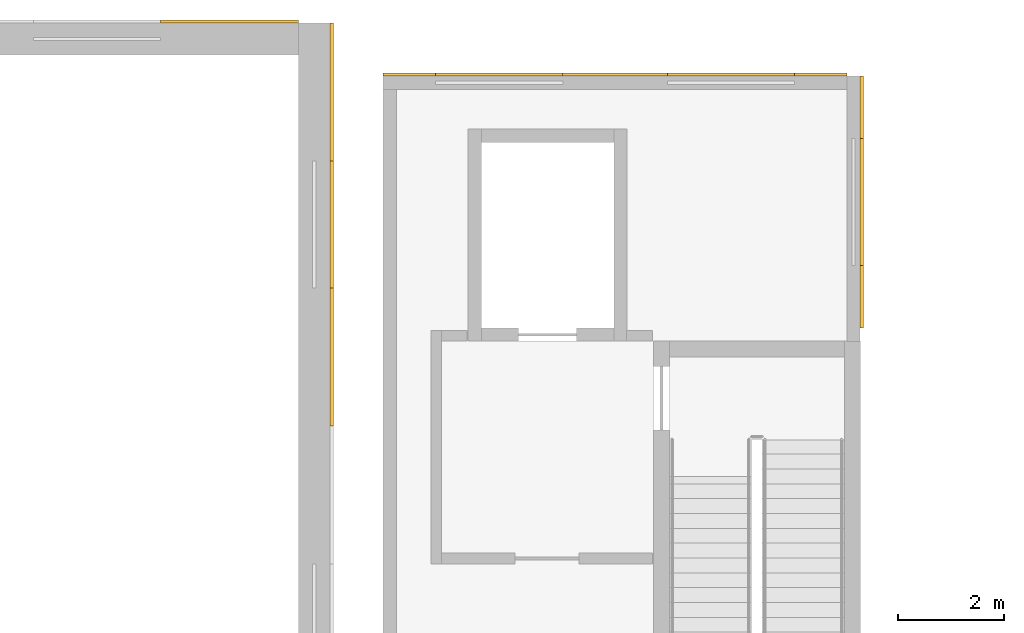
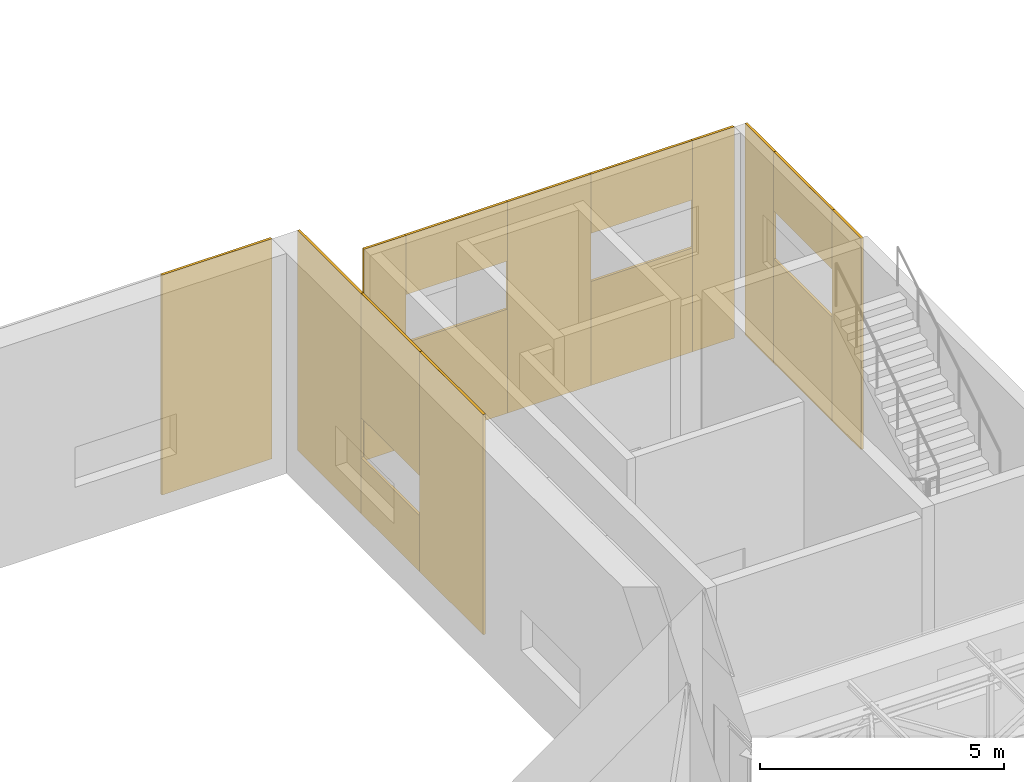
# One storey, part 124 of 132: 16 coverings.
"""IFC4 building model written with IfcOpenShell, lengths in metres."""

import ifcopenshell
import ifcopenshell.guid

model = None  # the IFC model being written
_history = None  # IfcOwnerHistory: only IFC2X3 demands one
_inside = {}  # id of a spatial element -> (the spatial element, [elements in it])
_under = {}  # id of a project, library or spatial element -> (it, [spatial elements below it])
_declared = {}  # id of a project -> (the project, [libraries it declares])
_typed = {}  # id of a type object -> (the type object, [elements of that type])
_made_of = {}  # id of a material, layer set ... -> (it, [elements and type objects made of it])


def new_model(schema):
    """Start an empty IFC model of exactly this schema.

    Asked for "IFC4X3", IfcOpenShell would pick the latest addendum, in which some entities
    have other attributes; the version numbers below select the first issue.
    IFC2X3 requires an IfcOwnerHistory on every rooted entity: one is made here for all.
    """
    global model, _history
    if schema == "IFC4X3":
        model = ifcopenshell.file(schema_version=(4, 3, 0, 0))
    else:
        model = ifcopenshell.file(schema=schema)
    _inside.clear()
    _under.clear()
    _declared.clear()
    _typed.clear()
    _made_of.clear()
    _history = None
    if model.schema == "IFC2X3":
        org = make("IfcOrganization", Name="unknown")
        user = make(
            "IfcPersonAndOrganization",
            ThePerson=make("IfcPerson", FamilyName="unknown"),
            TheOrganization=org,
        )
        app = make(
            "IfcApplication",
            ApplicationDeveloper=org,
            Version="unknown",
            ApplicationFullName="unknown",
            ApplicationIdentifier="unknown",
        )
        _history = make(
            "IfcOwnerHistory",
            OwningUser=user,
            OwningApplication=app,
            ChangeAction="ADDED",
            CreationDate=0,
        )
    return model


def make(cls, **values):
    """One entity of the class cls with the attributes given. An attribute that is None is left unset."""
    return model.create_entity(
        cls, **{name: value for name, value in values.items() if value is not None}
    )


def rooted(cls, **values):
    """An entity with a GlobalId (a new one), such as an element, a storey or a relation."""
    return make(cls, GlobalId=ifcopenshell.guid.new(), OwnerHistory=_history, **values)


def si_unit(unit_type, name, prefix=None):
    """IfcSIUnit, for example si_unit("LENGTHUNIT", "METRE", prefix="MILLI")."""
    return make("IfcSIUnit", UnitType=unit_type, Prefix=prefix, Name=name)


def assignment(units):
    """IfcUnitAssignment: the units of a project."""
    return None if units is None else make("IfcUnitAssignment", Units=units)


def point(xyz):
    """IfcCartesianPoint."""
    return None if xyz is None else make("IfcCartesianPoint", Coordinates=xyz)


def direction(xyz):
    """IfcDirection."""
    return None if xyz is None else make("IfcDirection", DirectionRatios=xyz)


def frame(location, z_axis=None, x_axis=None):
    """IfcAxis2Placement3D, a coordinate frame: its origin and axes. An axis left out is left unset."""
    return make(
        "IfcAxis2Placement3D",
        Location=point(location),
        Axis=direction(z_axis),
        RefDirection=direction(x_axis),
    )


def frame_2d(location, x_axis=None):
    """IfcAxis2Placement2D, a coordinate frame in the plane: its origin and x axis."""
    return make(
        "IfcAxis2Placement2D", Location=point(location), RefDirection=direction(x_axis)
    )


def origin():
    """The frame at (0, 0, 0) with its axes left unset."""
    return frame((0.0, 0.0, 0.0))


def origin_2d():
    """The frame at (0, 0) in the plane with its x axis left unset."""
    return frame_2d((0.0, 0.0))


def place(relative_to, where):
    """IfcLocalPlacement: puts the frame where relative to a parent placement (None: the world)."""
    return make(
        "IfcLocalPlacement", PlacementRelTo=relative_to, RelativePlacement=where
    )


def context(
    kind, dimensions, precision=None, world=None, true_north=None, identifier=None
):
    """IfcGeometricRepresentationContext, for example the 3D "Model" context."""
    return make(
        "IfcGeometricRepresentationContext",
        ContextIdentifier=identifier,
        ContextType=kind,
        CoordinateSpaceDimension=dimensions,
        Precision=precision,
        WorldCoordinateSystem=world,
        TrueNorth=true_north,
    )


def subcontext(parent, identifier, kind, view, scale=None):
    """IfcGeometricRepresentationSubContext, for example "Body" below "Model"."""
    return make(
        "IfcGeometricRepresentationSubContext",
        ContextIdentifier=identifier,
        ContextType=kind,
        ParentContext=parent,
        TargetScale=scale,
        TargetView=view,
    )


def project(units=None, contexts=None):
    """IfcProject with its units and contexts."""
    return rooted(
        "IfcProject",
        Name="project",
        RepresentationContexts=contexts,
        UnitsInContext=assignment(units),
    )


def spatial(cls, under=None, at=None, **own):
    """A site, building, storey or space (cls), placed at a placement, below another one or the project."""
    s = rooted(cls, ObjectPlacement=at, **own)
    if under is not None:
        _under.setdefault(under.id(), (under, []))[1].append(s)
    return s


def profile(cls, at=None, kind="AREA", **sizes):
    """A parametric profile (cls). Its sizes go by their IFC names, for example OverallWidth=200.0."""
    return make(cls, ProfileType=kind, Position=at, **sizes)


def rectangle(**sizes):
    """IfcRectangleProfileDef."""
    return profile("IfcRectangleProfileDef", **sizes)


def extrude(swept, where, along, depth):
    """IfcExtrudedAreaSolid: the profile swept, set in the frame where, extruded along a direction by depth."""
    return make(
        "IfcExtrudedAreaSolid",
        SweptArea=swept,
        Position=where,
        ExtrudedDirection=direction(along),
        Depth=depth,
    )


def shape(context_of_items, identifier, shape_type, items):
    """IfcShapeRepresentation: the items that make up one representation, for example the "Body"."""
    return make(
        "IfcShapeRepresentation",
        ContextOfItems=context_of_items,
        RepresentationIdentifier=identifier,
        RepresentationType=shape_type,
        Items=items,
    )


def material(Name=None, Category=None):
    """IfcMaterial."""
    return make("IfcMaterial", Name=Name, Category=Category)


def layer(
    of_material, thickness, ventilated=None, Name=None, Category=None, Priority=None
):
    """IfcMaterialLayer: one layer of a wall or slab, of a material (None: an air gap)."""
    return make(
        "IfcMaterialLayer",
        Material=of_material,
        LayerThickness=thickness,
        IsVentilated=ventilated,
        Name=Name,
        Category=Category,
        Priority=Priority,
    )


def layer_set(layers, Name=None):
    """IfcMaterialLayerSet."""
    return make("IfcMaterialLayerSet", MaterialLayers=layers, LayerSetName=Name)


def made_of(thing, what):
    """Note that an element or type object is made of a material, layer set ...; save() writes the relation."""
    if what is not None:
        _made_of.setdefault(what.id(), (what, []))[1].append(thing)
    return thing


def type_object(cls, material=None, **own):
    """A type object (cls), such as IfcWallType, which elements share."""
    return made_of(rooted(cls, **own), material)


def element(
    cls,
    number,
    at=None,
    inside=None,
    cuts=None,
    type_object=None,
    material=None,
    context=None,
    identifier="Body",
    shape_type=None,
    held_by="IfcProductDefinitionShape",
    body=None,
    shapes=None,
    **own,
):
    """One element of the class cls, such as IfcWall. Its Tag is "e" and its number.

    at: its placement. inside: the storey or other place that contains it. cuts: it is an
    opening in that element (IfcRelVoidsElement). A single representation is given by context,
    identifier, shape_type and body (its items); several are given by shapes. held_by: the class
    of the entity that holds the representations. save() writes the other relations.
    """
    e = rooted(cls, Tag="e%d" % number, ObjectPlacement=at, **own)
    if body is not None:
        shapes = [shape(context, identifier, shape_type, body)]
    if shapes is not None:
        e.Representation = make(held_by, Representations=shapes)
    if inside is not None:
        _inside.setdefault(inside.id(), (inside, []))[1].append(e)
    if cuts is not None:
        rooted(
            "IfcRelVoidsElement", RelatingBuildingElement=cuts, RelatedOpeningElement=e
        )
    if type_object is not None:
        _typed.setdefault(type_object.id(), (type_object, []))[1].append(e)
    return made_of(e, material)


def aggregate(whole, parts):
    """IfcRelAggregates: a whole, such as a stair, and the parts it consists of."""
    return rooted("IfcRelAggregates", RelatingObject=whole, RelatedObjects=parts)


def save(model, path):
    """Write the relations noted so far, then the file.

    IfcRelAggregates (storeys below a building ...), IfcRelContainedInSpatialStructure (elements
    in a storey), IfcRelDefinesByType, IfcRelAssociatesMaterial and IfcRelDeclares: one each for
    every whole, place, type object, material and project.
    """
    for whole, parts in _under.values():
        aggregate(whole, parts)
    for where, things in _inside.values():
        rooted(
            "IfcRelContainedInSpatialStructure",
            RelatedElements=things,
            RelatingStructure=where,
        )
    for kind, things in _typed.values():
        rooted("IfcRelDefinesByType", RelatedObjects=things, RelatingType=kind)
    for what, things in _made_of.values():
        rooted("IfcRelAssociatesMaterial", RelatedObjects=things, RelatingMaterial=what)
    for by, libraries in _declared.values():
        rooted("IfcRelDeclares", RelatingContext=by, RelatedDefinitions=libraries)
    model.write(path)


model = new_model("IFC4")

# Units and contexts
model_context = context("Model", 3, precision=1e-05, world=origin(), true_north=direction((0.0, 1.0)))
body_context = subcontext(model_context, "Body", "Model", "MODEL_VIEW")
ifc_project = project(units=[si_unit("LENGTHUNIT", "METRE"), si_unit("AREAUNIT", "SQUARE_METRE"), si_unit("VOLUMEUNIT", "CUBIC_METRE"), si_unit("PLANEANGLEUNIT", "RADIAN"), si_unit("MASSUNIT", "GRAM", prefix="KILO")], contexts=[model_context])

# Site, building, storey
site_placement = place(None, origin())
site = spatial("IfcSite", under=ifc_project, at=site_placement, CompositionType="ELEMENT")
building_placement = place(site_placement, origin())
building = spatial("IfcBuilding", under=site, at=building_placement, Name="Lunette Opera House", CompositionType="ELEMENT")
storey_placement = place(building_placement, frame((0.0, 0.0, 17.0)))
storey = spatial("IfcBuildingStorey", under=building, at=storey_placement, Name="L03", CompositionType="ELEMENT", Elevation=17.0)

# Coverings
ifc_material = material(Name="Aluminium standing seam cladding", Category="aluminium")
ifc_layer = layer(ifc_material, 0.06005859375)
ifc_layer_set = layer_set([ifc_layer], Name="Aluminium standing seam cladding")
covering_type = type_object("IfcCoveringType", Name="STANDING SEAM CLADDING 60", PredefinedType="CLADDING", material=ifc_layer_set)
covering_1_placement = place(storey_placement, frame((108.030029296875, 129.699951171875, 0.0), z_axis=(0.0, 0.0, 1.0), x_axis=(0.0, 1.0, 0.0)))
element("IfcCovering", 1, at=covering_1_placement, inside=storey, type_object=covering_type, Name="Standing seam cladding SR-E-1 L03 21", PredefinedType="CLADDING", context=body_context, shape_type="SweptSolid", body=[
    extrude(rectangle(XDim=2.60009765625, YDim=0.06005859375, at=origin_2d()), origin(), (0.0, 0.0, 1.0), 5.5),
])
covering_2_placement = place(storey_placement, frame((108.030029296875, 132.199951171875, 0.0), z_axis=(0.0, 0.0, 1.0), x_axis=(0.0, 1.0, 0.0)))
element("IfcCovering", 2, at=covering_2_placement, inside=storey, type_object=covering_type, Name="Standing seam cladding SR-E-1 L03 30", PredefinedType="CLADDING", context=body_context, shape_type="SweptSolid", body=[
    extrude(rectangle(XDim=2.39990234375, YDim=0.06005859375, at=origin_2d()), origin(), (0.0, 0.0, 1.0), 1.39990234375),
])
covering_3_placement = place(storey_placement, frame((108.030029296875, 132.199951171875, 2.39990234375), z_axis=(0.0, 0.0, 1.0), x_axis=(0.0, 1.0, 0.0)))
element("IfcCovering", 3, at=covering_3_placement, inside=storey, type_object=covering_type, Name="Standing seam cladding SR-E-1 L03 31", PredefinedType="CLADDING", context=body_context, shape_type="SweptSolid", body=[
    extrude(rectangle(XDim=2.39990234375, YDim=0.06005859375, at=origin_2d()), origin(), (0.0, 0.0, 1.0), 3.10009765625),
])
for number, where, z_axis, x_axis, name in (
    (4, (108.030029296875, 134.699951171875, 0.0), (0.0, 0.0, 1.0), (0.0, 1.0, 0.0), "Standing seam cladding SR-E-1 L03 40"),
    (5, (106.10009765625, 136.030029296875, 0.0), (0.0, 0.0, 1.0), (1.0, 0.0, 0.0), "Standing seam cladding SR-N-1 L03 60"),
):
    element("IfcCovering", number, at=place(storey_placement, frame(where, z_axis=z_axis, x_axis=x_axis)), inside=storey, type_object=covering_type, Name=name, PredefinedType="CLADDING", context=body_context, shape_type="SweptSolid", body=[
        extrude(rectangle(XDim=2.60009765625, YDim=0.06005859375, at=origin_2d()), origin(), (0.0, 0.0, 1.0), 5.5),
    ])
covering_4_placement = place(storey_placement, frame((118.030029296875, 130.837890625, 0.0), z_axis=(0.0, 0.0, 1.0), x_axis=(0.0, 1.0, 0.0)))
element("IfcCovering", 6, at=covering_4_placement, inside=storey, type_object=covering_type, Name="Standing seam cladding TE27 L03 00", PredefinedType="CLADDING", context=body_context, shape_type="SweptSolid", body=[
    extrude(rectangle(XDim=1.175048828125, YDim=0.06005859375, at=origin_2d()), origin(), (0.0, 0.0, 1.0), 5.280029296875),
])
covering_5_placement = place(storey_placement, frame((118.030029296875, 132.625, 0.0), z_axis=(0.0, 0.0, 1.0), x_axis=(0.0, 1.0, 0.0)))
element("IfcCovering", 7, at=covering_5_placement, inside=storey, type_object=covering_type, Name="Standing seam cladding TE27 L03 10", PredefinedType="CLADDING", context=body_context, shape_type="SweptSolid", body=[
    extrude(rectangle(XDim=2.39990234375, YDim=0.06005859375, at=origin_2d()), origin(), (0.0, 0.0, 1.0), 2.60009765625),
])
covering_6_placement = place(storey_placement, frame((118.030029296875, 132.625, 3.800048828125), z_axis=(0.0, 0.0, 1.0), x_axis=(0.0, 1.0, 0.0)))
element("IfcCovering", 8, at=covering_6_placement, inside=storey, type_object=covering_type, Name="Standing seam cladding TE27 L03 11", PredefinedType="CLADDING", context=body_context, shape_type="SweptSolid", body=[
    extrude(rectangle(XDim=2.39990234375, YDim=0.06005859375, at=origin_2d()), origin(), (0.0, 0.0, 1.0), 1.47998046875),
])
covering_7_placement = place(storey_placement, frame((118.030029296875, 134.412109375, 0.0), z_axis=(0.0, 0.0, 1.0), x_axis=(0.0, 1.0, 0.0)))
element("IfcCovering", 9, at=covering_7_placement, inside=storey, type_object=covering_type, Name="Standing seam cladding TE27 L03 20", PredefinedType="CLADDING", context=body_context, shape_type="SweptSolid", body=[
    extrude(rectangle(XDim=1.175048828125, YDim=0.06005859375, at=origin_2d()), origin(), (0.0, 0.0, 1.0), 5.280029296875),
])
covering_8_placement = place(storey_placement, frame((117.256103515625, 135.030029296875, 0.0), z_axis=(0.0, 0.0, 1.0), x_axis=(-1.0, 0.0, 0.0)))
element("IfcCovering", 10, at=covering_8_placement, inside=storey, type_object=covering_type, Name="Standing seam cladding TE28 L03 00", PredefinedType="CLADDING", context=body_context, shape_type="SweptSolid", body=[
    extrude(rectangle(XDim=0.988037109375, YDim=0.06005859375, at=origin_2d()), origin(), (0.0, 0.0, 1.0), 5.280029296875),
])
covering_9_placement = place(storey_placement, frame((115.56201171875, 135.030029296875, 0.0), z_axis=(0.0, 0.0, 1.0), x_axis=(-1.0, 0.0, 0.0)))
element("IfcCovering", 11, at=covering_9_placement, inside=storey, type_object=covering_type, Name="Standing seam cladding TE28 L03 10", PredefinedType="CLADDING", context=body_context, shape_type="SweptSolid", body=[
    extrude(rectangle(XDim=2.39990234375, YDim=0.06005859375, at=origin_2d()), origin(), (0.0, 0.0, 1.0), 2.60009765625),
])
covering_10_placement = place(storey_placement, frame((115.56201171875, 135.030029296875, 3.800048828125), z_axis=(0.0, 0.0, 1.0), x_axis=(-1.0, 0.0, 0.0)))
element("IfcCovering", 12, at=covering_10_placement, inside=storey, type_object=covering_type, Name="Standing seam cladding TE28 L03 11", PredefinedType="CLADDING", context=body_context, shape_type="SweptSolid", body=[
    extrude(rectangle(XDim=2.39990234375, YDim=0.06005859375, at=origin_2d()), origin(), (0.0, 0.0, 1.0), 1.47998046875),
])
covering_11_placement = place(storey_placement, frame((113.375, 135.030029296875, 0.0), z_axis=(0.0, 0.0, 1.0), x_axis=(-1.0, 0.0, 0.0)))
element("IfcCovering", 13, at=covering_11_placement, inside=storey, type_object=covering_type, Name="Standing seam cladding TE28 L03 20", PredefinedType="CLADDING", context=body_context, shape_type="SweptSolid", body=[
    extrude(rectangle(XDim=1.97509765625, YDim=0.06005859375, at=origin_2d()), origin(), (0.0, 0.0, 1.0), 5.280029296875),
])
covering_12_placement = place(storey_placement, frame((111.18798828125, 135.030029296875, 0.0), z_axis=(0.0, 0.0, 1.0), x_axis=(-1.0, 0.0, 0.0)))
element("IfcCovering", 14, at=covering_12_placement, inside=storey, type_object=covering_type, Name="Standing seam cladding TE28 L03 30", PredefinedType="CLADDING", context=body_context, shape_type="SweptSolid", body=[
    extrude(rectangle(XDim=2.39990234375, YDim=0.06005859375, at=origin_2d()), origin(), (0.0, 0.0, 1.0), 2.60009765625),
])
covering_13_placement = place(storey_placement, frame((111.18798828125, 135.030029296875, 3.800048828125), z_axis=(0.0, 0.0, 1.0), x_axis=(-1.0, 0.0, 0.0)))
element("IfcCovering", 15, at=covering_13_placement, inside=storey, type_object=covering_type, Name="Standing seam cladding TE28 L03 31", PredefinedType="CLADDING", context=body_context, shape_type="SweptSolid", body=[
    extrude(rectangle(XDim=2.39990234375, YDim=0.06005859375, at=origin_2d()), origin(), (0.0, 0.0, 1.0), 1.47998046875),
])
covering_14_placement = place(storey_placement, frame((109.493896484375, 135.030029296875, 0.0), z_axis=(0.0, 0.0, 1.0), x_axis=(-1.0, 0.0, 0.0)))
element("IfcCovering", 16, at=covering_14_placement, inside=storey, type_object=covering_type, Name="Standing seam cladding TE28 L03 40", PredefinedType="CLADDING", context=body_context, shape_type="SweptSolid", body=[
    extrude(rectangle(XDim=0.987060546875, YDim=0.06005859375, at=origin_2d()), origin(), (0.0, 0.0, 1.0), 5.280029296875),
])

save(model, "model.ifc")
